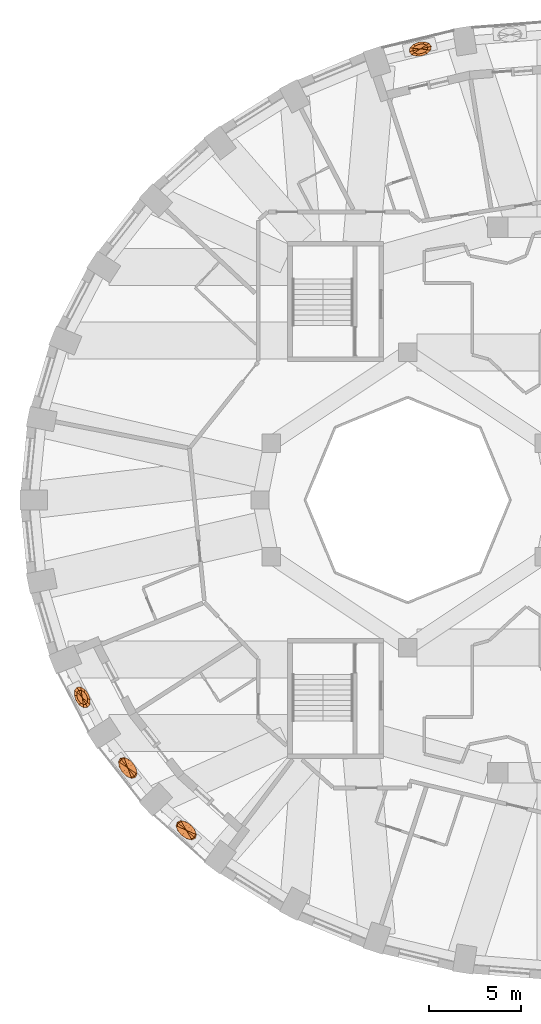
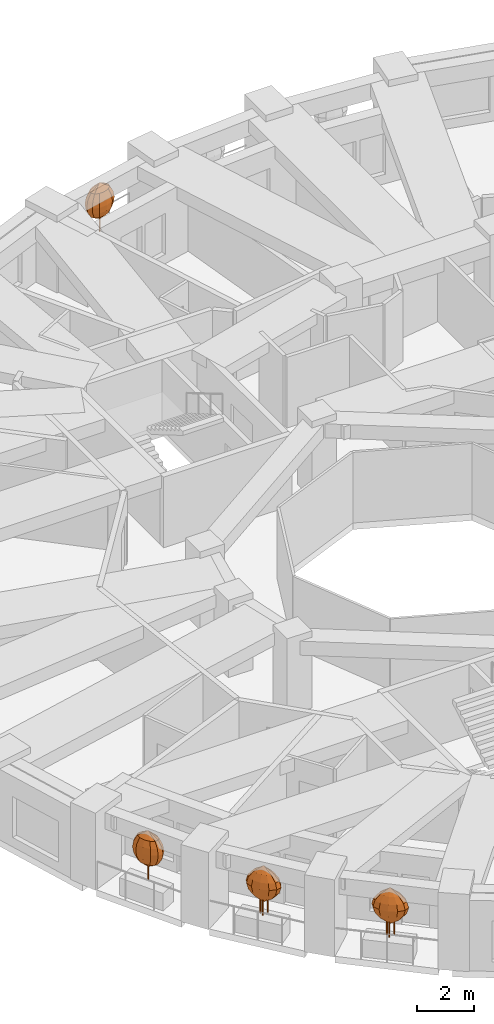
# One storey, part 12 of 13: 4 geographic elements.
"""IFC4 building model written with IfcOpenShell, lengths in metres."""

import ifcopenshell
import ifcopenshell.guid

model = None  # the IFC model being written
_history = None  # IfcOwnerHistory: only IFC2X3 demands one
_inside = {}  # id of a spatial element -> (the spatial element, [elements in it])
_under = {}  # id of a project, library or spatial element -> (it, [spatial elements below it])
_declared = {}  # id of a project -> (the project, [libraries it declares])
_typed = {}  # id of a type object -> (the type object, [elements of that type])
_made_of = {}  # id of a material, layer set ... -> (it, [elements and type objects made of it])


def new_model(schema):
    """Start an empty IFC model of exactly this schema.

    Asked for "IFC4X3", IfcOpenShell would pick the latest addendum, in which some entities
    have other attributes; the version numbers below select the first issue.
    IFC2X3 requires an IfcOwnerHistory on every rooted entity: one is made here for all.
    """
    global model, _history
    if schema == "IFC4X3":
        model = ifcopenshell.file(schema_version=(4, 3, 0, 0))
    else:
        model = ifcopenshell.file(schema=schema)
    _inside.clear()
    _under.clear()
    _declared.clear()
    _typed.clear()
    _made_of.clear()
    _history = None
    if model.schema == "IFC2X3":
        org = make("IfcOrganization", Name="unknown")
        user = make(
            "IfcPersonAndOrganization",
            ThePerson=make("IfcPerson", FamilyName="unknown"),
            TheOrganization=org,
        )
        app = make(
            "IfcApplication",
            ApplicationDeveloper=org,
            Version="unknown",
            ApplicationFullName="unknown",
            ApplicationIdentifier="unknown",
        )
        _history = make(
            "IfcOwnerHistory",
            OwningUser=user,
            OwningApplication=app,
            ChangeAction="ADDED",
            CreationDate=0,
        )
    return model


def make(cls, **values):
    """One entity of the class cls with the attributes given. An attribute that is None is left unset."""
    return model.create_entity(
        cls, **{name: value for name, value in values.items() if value is not None}
    )


def rooted(cls, **values):
    """An entity with a GlobalId (a new one), such as an element, a storey or a relation."""
    return make(cls, GlobalId=ifcopenshell.guid.new(), OwnerHistory=_history, **values)


def si_unit(unit_type, name, prefix=None):
    """IfcSIUnit, for example si_unit("LENGTHUNIT", "METRE", prefix="MILLI")."""
    return make("IfcSIUnit", UnitType=unit_type, Prefix=prefix, Name=name)


def assignment(units):
    """IfcUnitAssignment: the units of a project."""
    return None if units is None else make("IfcUnitAssignment", Units=units)


def point(xyz):
    """IfcCartesianPoint."""
    return None if xyz is None else make("IfcCartesianPoint", Coordinates=xyz)


def direction(xyz):
    """IfcDirection."""
    return None if xyz is None else make("IfcDirection", DirectionRatios=xyz)


def frame(location, z_axis=None, x_axis=None):
    """IfcAxis2Placement3D, a coordinate frame: its origin and axes. An axis left out is left unset."""
    return make(
        "IfcAxis2Placement3D",
        Location=point(location),
        Axis=direction(z_axis),
        RefDirection=direction(x_axis),
    )


def origin():
    """The frame at (0, 0, 0) with its axes left unset."""
    return frame((0.0, 0.0, 0.0))


def place(relative_to, where):
    """IfcLocalPlacement: puts the frame where relative to a parent placement (None: the world)."""
    return make(
        "IfcLocalPlacement", PlacementRelTo=relative_to, RelativePlacement=where
    )


def context(
    kind, dimensions, precision=None, world=None, true_north=None, identifier=None
):
    """IfcGeometricRepresentationContext, for example the 3D "Model" context."""
    return make(
        "IfcGeometricRepresentationContext",
        ContextIdentifier=identifier,
        ContextType=kind,
        CoordinateSpaceDimension=dimensions,
        Precision=precision,
        WorldCoordinateSystem=world,
        TrueNorth=true_north,
    )


def subcontext(parent, identifier, kind, view, scale=None):
    """IfcGeometricRepresentationSubContext, for example "Body" below "Model"."""
    return make(
        "IfcGeometricRepresentationSubContext",
        ContextIdentifier=identifier,
        ContextType=kind,
        ParentContext=parent,
        TargetScale=scale,
        TargetView=view,
    )


def project(units=None, contexts=None):
    """IfcProject with its units and contexts."""
    return rooted(
        "IfcProject",
        Name="project",
        RepresentationContexts=contexts,
        UnitsInContext=assignment(units),
    )


def spatial(cls, under=None, at=None, **own):
    """A site, building, storey or space (cls), placed at a placement, below another one or the project."""
    s = rooted(cls, ObjectPlacement=at, **own)
    if under is not None:
        _under.setdefault(under.id(), (under, []))[1].append(s)
    return s


def faces_of(points, faces, orient=None, outer=None):
    """IfcFace entities. A face is a list of loops; a loop is a list of indices into points, from 0.

    orient and outer hold one flag for each loop. By default every Orientation is true, the
    first loop of a face is its IfcFaceOuterBound and the others are IfcFaceBound.
    """
    made = []
    for i, loops in enumerate(faces):
        bounds = []
        for j, loop in enumerate(loops):
            is_outer = j == 0 if outer is None else outer[i][j]
            bounds.append(
                make(
                    "IfcFaceOuterBound" if is_outer else "IfcFaceBound",
                    Bound=make("IfcPolyLoop", Polygon=[points[k] for k in loop]),
                    Orientation=True if orient is None else orient[i][j],
                )
            )
        made.append(make("IfcFace", Bounds=bounds))
    return made


def faceted_brep(points, faces, orient=None, outer=None, voids=None):
    """IfcFacetedBrep: a solid bounded by flat faces; with voids (closed shells), ...WithVoids."""
    shared = [point(p) for p in points]
    hull = make("IfcClosedShell", CfsFaces=faces_of(shared, faces, orient, outer))
    if voids is None:
        return make("IfcFacetedBrep", Outer=hull)
    return make(
        "IfcFacetedBrepWithVoids",
        Outer=hull,
        Voids=[
            make(cls, CfsFaces=faces_of(shared, fs, o, b)) for cls, fs, o, b in voids
        ],
    )


def shape(context_of_items, identifier, shape_type, items):
    """IfcShapeRepresentation: the items that make up one representation, for example the "Body"."""
    return make(
        "IfcShapeRepresentation",
        ContextOfItems=context_of_items,
        RepresentationIdentifier=identifier,
        RepresentationType=shape_type,
        Items=items,
    )


def material(Name=None, Category=None):
    """IfcMaterial."""
    return make("IfcMaterial", Name=Name, Category=Category)


def constituent(of_material, Name=None, Category=None, fraction=None):
    """IfcMaterialConstituent: one of the materials an element consists of."""
    return make(
        "IfcMaterialConstituent",
        Name=Name,
        Material=of_material,
        Fraction=fraction,
        Category=Category,
    )


def constituent_set(constituents=None, Name=None):
    """IfcMaterialConstituentSet."""
    return make(
        "IfcMaterialConstituentSet", Name=Name, MaterialConstituents=constituents
    )


def made_of(thing, what):
    """Note that an element or type object is made of a material, layer set ...; save() writes the relation."""
    if what is not None:
        _made_of.setdefault(what.id(), (what, []))[1].append(thing)
    return thing


def type_object(cls, material=None, **own):
    """A type object (cls), such as IfcWallType, which elements share."""
    return made_of(rooted(cls, **own), material)


def element(
    cls,
    number,
    at=None,
    inside=None,
    cuts=None,
    type_object=None,
    material=None,
    context=None,
    identifier="Body",
    shape_type=None,
    held_by="IfcProductDefinitionShape",
    body=None,
    shapes=None,
    **own,
):
    """One element of the class cls, such as IfcWall. Its Tag is "e" and its number.

    at: its placement. inside: the storey or other place that contains it. cuts: it is an
    opening in that element (IfcRelVoidsElement). A single representation is given by context,
    identifier, shape_type and body (its items); several are given by shapes. held_by: the class
    of the entity that holds the representations. save() writes the other relations.
    """
    e = rooted(cls, Tag="e%d" % number, ObjectPlacement=at, **own)
    if body is not None:
        shapes = [shape(context, identifier, shape_type, body)]
    if shapes is not None:
        e.Representation = make(held_by, Representations=shapes)
    if inside is not None:
        _inside.setdefault(inside.id(), (inside, []))[1].append(e)
    if cuts is not None:
        rooted(
            "IfcRelVoidsElement", RelatingBuildingElement=cuts, RelatedOpeningElement=e
        )
    if type_object is not None:
        _typed.setdefault(type_object.id(), (type_object, []))[1].append(e)
    return made_of(e, material)


def aggregate(whole, parts):
    """IfcRelAggregates: a whole, such as a stair, and the parts it consists of."""
    return rooted("IfcRelAggregates", RelatingObject=whole, RelatedObjects=parts)


def save(model, path):
    """Write the relations noted so far, then the file.

    IfcRelAggregates (storeys below a building ...), IfcRelContainedInSpatialStructure (elements
    in a storey), IfcRelDefinesByType, IfcRelAssociatesMaterial and IfcRelDeclares: one each for
    every whole, place, type object, material and project.
    """
    for whole, parts in _under.values():
        aggregate(whole, parts)
    for where, things in _inside.values():
        rooted(
            "IfcRelContainedInSpatialStructure",
            RelatedElements=things,
            RelatingStructure=where,
        )
    for kind, things in _typed.values():
        rooted("IfcRelDefinesByType", RelatedObjects=things, RelatingType=kind)
    for what, things in _made_of.values():
        rooted("IfcRelAssociatesMaterial", RelatedObjects=things, RelatingMaterial=what)
    for by, libraries in _declared.values():
        rooted("IfcRelDeclares", RelatingContext=by, RelatedDefinitions=libraries)
    model.write(path)


model = new_model("IFC4")

# Units and contexts
model_context = context("Model", 3, precision=1e-05, world=origin(), true_north=direction((0.0, 1.0)))
body_context = subcontext(model_context, "Body", "Model", "MODEL_VIEW")
ifc_project = project(units=[si_unit("LENGTHUNIT", "METRE"), si_unit("AREAUNIT", "SQUARE_METRE"), si_unit("VOLUMEUNIT", "CUBIC_METRE"), si_unit("PLANEANGLEUNIT", "RADIAN"), si_unit("MASSUNIT", "GRAM", prefix="KILO")], contexts=[model_context])

# Site, building, storey
site_placement = place(None, origin())
site = spatial("IfcSite", under=ifc_project, at=site_placement, CompositionType="ELEMENT")
building_placement = place(site_placement, origin())
building = spatial("IfcBuilding", under=site, at=building_placement, Name="Taillehof Tower", CompositionType="ELEMENT")
storey_placement = place(building_placement, frame((0.0, 0.0, 51.39990234375)))
storey = spatial("IfcBuildingStorey", under=building, at=storey_placement, Name="L13", CompositionType="ELEMENT", Elevation=51.39990234375)

# Geographic elements
ifc_material_1 = material(Name="Tree bark", Category="timber")
ifc_constituent_1 = constituent(ifc_material_1, Name="Trunk", Category="timber")
ifc_material_2 = material(Name="Tree foliage")
ifc_constituent_2 = constituent(ifc_material_2, Name="Crown")
ifc_constituent_set_1 = constituent_set(constituents=[ifc_constituent_1, ifc_constituent_2], Name="Tree TR1 Columnar hornbeam")
geographic_element_type_1 = type_object("IfcGeographicElementType", Name="Tree TR1 Columnar hornbeam", PredefinedType="USERDEFINED", material=ifc_constituent_set_1)
geographic_element_1_placement = place(storey_placement, frame((-7.31640625, 24.430419921875, 0.75)))
element("IfcGeographicElement", 1, at=geographic_element_1_placement, inside=storey, type_object=geographic_element_type_1, Name="Tree TR1 Columnar hornbeam", ObjectType="TREE", PredefinedType="USERDEFINED", context=body_context, shape_type="Brep", body=[
    faceted_brep([(0.030029296875, 0.0, 0.0), (0.021240234375, 0.021240234375, 0.0), (0.021240234375, 0.021240234375, 1.092529296875), (0.030029296875, 0.0, 1.092529296875), (0.0, 0.030029296875, 0.0), (0.0, 0.030029296875, 1.092529296875), (-0.021240234375, 0.021240234375, 0.0), (-0.021240234375, 0.021240234375, 1.092529296875), (-0.030029296875, 0.0, 0.0), (-0.030029296875, 0.0, 1.092529296875), (-0.021240234375, -0.021240234375, 0.0), (-0.021240234375, -0.021240234375, 1.092529296875), (0.0, -0.030029296875, 0.0), (0.0, -0.030029296875, 1.092529296875), (0.021240234375, -0.021240234375, 0.0), (0.021240234375, -0.021240234375, 1.092529296875)], [[[0, 1, 2, 3]], [[1, 4, 5, 2]], [[4, 6, 7, 5]], [[6, 8, 9, 7]], [[8, 10, 11, 9]], [[10, 12, 13, 11]], [[12, 14, 15, 13]], [[14, 0, 3, 15]], [[14, 12, 10, 8, 6, 4, 1, 0]], [[3, 2, 5, 7, 9, 11, 13, 15]]]),
    faceted_brep([(0.0, 0.0, 0.550048828125), (-0.324951171875, -0.211181640625, 0.808349609375), (-0.41015625, -0.09814453125, 0.808349609375), (-0.15283203125, -0.267822265625, 0.808349609375), (0.060546875, -0.25244140625, 0.808349609375), (0.25732421875, -0.16943359375, 0.808349609375), (0.385498046875, -0.041015625, 0.808349609375), (0.41015625, 0.09814453125, 0.808349609375), (0.324951171875, 0.211181640625, 0.808349609375), (0.15283203125, 0.267822265625, 0.808349609375), (-0.060546875, 0.25244140625, 0.808349609375), (-0.25732421875, 0.16943359375, 0.808349609375), (-0.385498046875, 0.041015625, 0.808349609375), (-0.439697265625, -0.285888671875, 1.066650390625), (-0.554931640625, -0.1328125, 1.066650390625), (-0.20654296875, -0.362060546875, 1.066650390625), (0.081787109375, -0.341552734375, 1.066650390625), (0.34814453125, -0.229248046875, 1.066650390625), (0.521484375, -0.0556640625, 1.066650390625), (0.554931640625, 0.1328125, 1.066650390625), (0.439697265625, 0.285888671875, 1.066650390625), (0.20654296875, 0.362060546875, 1.066650390625), (-0.081787109375, 0.341552734375, 1.066650390625), (-0.34814453125, 0.229248046875, 1.066650390625), (-0.521484375, 0.0556640625, 1.066650390625), (-0.475830078125, -0.309326171875, 1.324951171875), (-0.6005859375, -0.143798828125, 1.324951171875), (-0.2236328125, -0.391845703125, 1.324951171875), (0.088623046875, -0.36962890625, 1.324951171875), (0.376953125, -0.248046875, 1.324951171875), (0.564208984375, -0.060302734375, 1.324951171875), (0.6005859375, 0.143798828125, 1.324951171875), (0.475830078125, 0.309326171875, 1.324951171875), (0.2236328125, 0.391845703125, 1.324951171875), (-0.088623046875, 0.36962890625, 1.324951171875), (-0.376953125, 0.248046875, 1.324951171875), (-0.564208984375, 0.060302734375, 1.324951171875), (-0.439697265625, -0.285888671875, 1.583251953125), (-0.554931640625, -0.1328125, 1.583251953125), (-0.20654296875, -0.362060546875, 1.583251953125), (0.081787109375, -0.341552734375, 1.583251953125), (0.34814453125, -0.229248046875, 1.583251953125), (0.521484375, -0.0556640625, 1.583251953125), (0.554931640625, 0.1328125, 1.583251953125), (0.439697265625, 0.285888671875, 1.583251953125), (0.20654296875, 0.362060546875, 1.583251953125), (-0.081787109375, 0.341552734375, 1.583251953125), (-0.34814453125, 0.229248046875, 1.583251953125), (-0.521484375, 0.0556640625, 1.583251953125), (-0.324951171875, -0.211181640625, 1.841552734375), (-0.41015625, -0.09814453125, 1.841552734375), (-0.15283203125, -0.267822265625, 1.841552734375), (0.060546875, -0.25244140625, 1.841552734375), (0.25732421875, -0.16943359375, 1.841552734375), (0.385498046875, -0.041015625, 1.841552734375), (0.41015625, 0.09814453125, 1.841552734375), (0.324951171875, 0.211181640625, 1.841552734375), (0.15283203125, 0.267822265625, 1.841552734375), (-0.060546875, 0.25244140625, 1.841552734375), (-0.25732421875, 0.16943359375, 1.841552734375), (-0.385498046875, 0.041015625, 1.841552734375), (0.0, 0.0, 2.10009765625)], [[[0, 1, 2]], [[0, 3, 1]], [[0, 4, 3]], [[0, 5, 4]], [[0, 6, 5]], [[0, 7, 6]], [[0, 8, 7]], [[0, 9, 8]], [[0, 10, 9]], [[0, 11, 10]], [[0, 12, 11]], [[0, 2, 12]], [[2, 1, 13, 14]], [[1, 3, 15, 13]], [[3, 4, 16, 15]], [[4, 5, 17, 16]], [[5, 6, 18, 17]], [[6, 7, 19, 18]], [[7, 8, 20, 19]], [[8, 9, 21, 20]], [[9, 10, 22, 21]], [[10, 11, 23, 22]], [[11, 12, 24, 23]], [[12, 2, 14, 24]], [[14, 13, 25, 26]], [[13, 15, 27, 25]], [[15, 16, 28, 27]], [[16, 17, 29, 28]], [[17, 18, 30, 29]], [[18, 19, 31, 30]], [[19, 20, 32, 31]], [[20, 21, 33, 32]], [[21, 22, 34, 33]], [[22, 23, 35, 34]], [[23, 24, 36, 35]], [[24, 14, 26, 36]], [[26, 25, 37, 38]], [[25, 27, 39, 37]], [[27, 28, 40, 39]], [[28, 29, 41, 40]], [[29, 30, 42, 41]], [[30, 31, 43, 42]], [[31, 32, 44, 43]], [[32, 33, 45, 44]], [[33, 34, 46, 45]], [[34, 35, 47, 46]], [[35, 36, 48, 47]], [[36, 26, 38, 48]], [[38, 37, 49, 50]], [[37, 39, 51, 49]], [[39, 40, 52, 51]], [[40, 41, 53, 52]], [[41, 42, 54, 53]], [[42, 43, 55, 54]], [[43, 44, 56, 55]], [[44, 45, 57, 56]], [[45, 46, 58, 57]], [[46, 47, 59, 58]], [[47, 48, 60, 59]], [[48, 38, 50, 60]], [[50, 49, 61]], [[49, 51, 61]], [[51, 52, 61]], [[52, 53, 61]], [[53, 54, 61]], [[54, 55, 61]], [[55, 56, 61]], [[56, 57, 61]], [[57, 58, 61]], [[58, 59, 61]], [[59, 60, 61]], [[60, 50, 61]]]),
])
geographic_element_2_placement = place(storey_placement, frame((-25.627685546875, -10.692626953125, 0.75)))
element("IfcGeographicElement", 2, at=geographic_element_2_placement, inside=storey, type_object=geographic_element_type_1, Name="Tree TR1 Columnar hornbeam", ObjectType="TREE", PredefinedType="USERDEFINED", context=body_context, shape_type="Brep", body=[
    faceted_brep([(0.030029296875, 0.0, 0.0), (0.021240234375, 0.021240234375, 0.0), (0.021240234375, 0.021240234375, 1.092529296875), (0.030029296875, 0.0, 1.092529296875), (0.0, 0.030029296875, 0.0), (0.0, 0.030029296875, 1.092529296875), (-0.021240234375, 0.021240234375, 0.0), (-0.021240234375, 0.021240234375, 1.092529296875), (-0.030029296875, 0.0, 0.0), (-0.030029296875, 0.0, 1.092529296875), (-0.021240234375, -0.021240234375, 0.0), (-0.021240234375, -0.021240234375, 1.092529296875), (0.0, -0.030029296875, 0.0), (0.0, -0.030029296875, 1.092529296875), (0.021240234375, -0.021240234375, 0.0), (0.021240234375, -0.021240234375, 1.092529296875)], [[[0, 1, 2, 3]], [[1, 4, 5, 2]], [[4, 6, 7, 5]], [[6, 8, 9, 7]], [[8, 10, 11, 9]], [[10, 12, 13, 11]], [[12, 14, 15, 13]], [[14, 0, 3, 15]], [[14, 12, 10, 8, 6, 4, 1, 0]], [[3, 2, 5, 7, 9, 11, 13, 15]]]),
    faceted_brep([(0.0, 0.0, 0.550048828125), (0.283935546875, -0.263916015625, 0.808349609375), (0.195068359375, -0.3740234375, 0.808349609375), (0.296875, -0.0830078125, 0.808349609375), (0.230224609375, 0.1201171875, 0.808349609375), (0.101806640625, 0.291015625, 0.808349609375), (-0.053955078125, 0.3837890625, 0.808349609375), (-0.195068359375, 0.3740234375, 0.808349609375), (-0.283935546875, 0.263916015625, 0.808349609375), (-0.296875, 0.0830078125, 0.808349609375), (-0.230224609375, -0.1201171875, 0.808349609375), (-0.101806640625, -0.291015625, 0.808349609375), (0.053955078125, -0.3837890625, 0.808349609375), (0.38427734375, -0.35693359375, 1.066650390625), (0.263916015625, -0.505859375, 1.066650390625), (0.401611328125, -0.1123046875, 1.066650390625), (0.311279296875, 0.162353515625, 1.066650390625), (0.1376953125, 0.3935546875, 1.066650390625), (-0.07275390625, 0.519287109375, 1.066650390625), (-0.263916015625, 0.505859375, 1.066650390625), (-0.38427734375, 0.35693359375, 1.066650390625), (-0.401611328125, 0.1123046875, 1.066650390625), (-0.311279296875, -0.162353515625, 1.066650390625), (-0.1376953125, -0.3935546875, 1.066650390625), (0.07275390625, -0.519287109375, 1.066650390625), (0.415771484375, -0.38623046875, 1.324951171875), (0.28564453125, -0.547607421875, 1.324951171875), (0.4345703125, -0.12158203125, 1.324951171875), (0.3369140625, 0.17578125, 1.324951171875), (0.14892578125, 0.426025390625, 1.324951171875), (-0.078857421875, 0.56201171875, 1.324951171875), (-0.28564453125, 0.547607421875, 1.324951171875), (-0.415771484375, 0.38623046875, 1.324951171875), (-0.4345703125, 0.12158203125, 1.324951171875), (-0.3369140625, -0.17578125, 1.324951171875), (-0.14892578125, -0.426025390625, 1.324951171875), (0.078857421875, -0.56201171875, 1.324951171875), (0.38427734375, -0.35693359375, 1.583251953125), (0.263916015625, -0.505859375, 1.583251953125), (0.401611328125, -0.1123046875, 1.583251953125), (0.311279296875, 0.162353515625, 1.583251953125), (0.1376953125, 0.3935546875, 1.583251953125), (-0.07275390625, 0.519287109375, 1.583251953125), (-0.263916015625, 0.505859375, 1.583251953125), (-0.38427734375, 0.35693359375, 1.583251953125), (-0.401611328125, 0.1123046875, 1.583251953125), (-0.311279296875, -0.162353515625, 1.583251953125), (-0.1376953125, -0.3935546875, 1.583251953125), (0.07275390625, -0.519287109375, 1.583251953125), (0.283935546875, -0.263916015625, 1.841552734375), (0.195068359375, -0.3740234375, 1.841552734375), (0.296875, -0.0830078125, 1.841552734375), (0.230224609375, 0.1201171875, 1.841552734375), (0.101806640625, 0.291015625, 1.841552734375), (-0.053955078125, 0.3837890625, 1.841552734375), (-0.195068359375, 0.3740234375, 1.841552734375), (-0.283935546875, 0.263916015625, 1.841552734375), (-0.296875, 0.0830078125, 1.841552734375), (-0.230224609375, -0.1201171875, 1.841552734375), (-0.101806640625, -0.291015625, 1.841552734375), (0.053955078125, -0.3837890625, 1.841552734375), (0.0, 0.0, 2.10009765625)], [[[0, 1, 2]], [[0, 3, 1]], [[0, 4, 3]], [[0, 5, 4]], [[0, 6, 5]], [[0, 7, 6]], [[0, 8, 7]], [[0, 9, 8]], [[0, 10, 9]], [[0, 11, 10]], [[0, 12, 11]], [[0, 2, 12]], [[2, 1, 13, 14]], [[1, 3, 15, 13]], [[3, 4, 16, 15]], [[4, 5, 17, 16]], [[5, 6, 18, 17]], [[6, 7, 19, 18]], [[7, 8, 20, 19]], [[8, 9, 21, 20]], [[9, 10, 22, 21]], [[10, 11, 23, 22]], [[11, 12, 24, 23]], [[12, 2, 14, 24]], [[14, 13, 25, 26]], [[13, 15, 27, 25]], [[15, 16, 28, 27]], [[16, 17, 29, 28]], [[17, 18, 30, 29]], [[18, 19, 31, 30]], [[19, 20, 32, 31]], [[20, 21, 33, 32]], [[21, 22, 34, 33]], [[22, 23, 35, 34]], [[23, 24, 36, 35]], [[24, 14, 26, 36]], [[26, 25, 37, 38]], [[25, 27, 39, 37]], [[27, 28, 40, 39]], [[28, 29, 41, 40]], [[29, 30, 42, 41]], [[30, 31, 43, 42]], [[31, 32, 44, 43]], [[32, 33, 45, 44]], [[33, 34, 46, 45]], [[34, 35, 47, 46]], [[35, 36, 48, 47]], [[36, 26, 38, 48]], [[38, 37, 49, 50]], [[37, 39, 51, 49]], [[39, 40, 52, 51]], [[40, 41, 53, 52]], [[41, 42, 54, 53]], [[42, 43, 55, 54]], [[43, 44, 56, 55]], [[44, 45, 57, 56]], [[45, 46, 58, 57]], [[46, 47, 59, 58]], [[47, 48, 60, 59]], [[48, 38, 50, 60]], [[50, 49, 61]], [[49, 51, 61]], [[51, 52, 61]], [[52, 53, 61]], [[53, 54, 61]], [[54, 55, 61]], [[55, 56, 61]], [[56, 57, 61]], [[57, 58, 61]], [[58, 59, 61]], [[59, 60, 61]], [[60, 50, 61]]]),
])
ifc_material_3 = material(Name="Tree bark", Category="timber")
ifc_constituent_3 = constituent(ifc_material_3, Name="Trunk", Category="timber")
ifc_material_4 = material(Name="Tree foliage")
ifc_constituent_4 = constituent(ifc_material_4, Name="Crown")
ifc_constituent_set_2 = constituent_set(constituents=[ifc_constituent_3, ifc_constituent_4], Name="Tree TR3 Multi-stem serviceberry")
geographic_element_type_2 = type_object("IfcGeographicElementType", Name="Tree TR3 Multi-stem serviceberry", PredefinedType="USERDEFINED", material=ifc_constituent_set_2)
geographic_element_3_placement = place(storey_placement, frame((-23.16162109375, -14.510986328125, 0.75)))
element("IfcGeographicElement", 3, at=geographic_element_3_placement, inside=storey, type_object=geographic_element_type_2, Name="Tree TR3 Multi-stem serviceberry", ObjectType="TREE", PredefinedType="USERDEFINED", context=body_context, shape_type="Brep", body=[
    faceted_brep([(0.195068359375, 0.0, 0.0), (0.186767578125, 0.0205078125, 0.0), (0.186767578125, 0.0205078125, 1.04248046875), (0.195068359375, 0.0, 1.04248046875), (0.166259765625, 0.02880859375, 0.0), (0.166259765625, 0.02880859375, 1.04248046875), (0.145751953125, 0.0205078125, 0.0), (0.145751953125, 0.0205078125, 1.04248046875), (0.137451171875, 0.0, 0.0), (0.137451171875, 0.0, 1.04248046875), (0.145751953125, -0.0205078125, 0.0), (0.145751953125, -0.0205078125, 1.04248046875), (0.166259765625, -0.02880859375, 0.0), (0.166259765625, -0.02880859375, 1.04248046875), (0.186767578125, -0.0205078125, 0.0), (0.186767578125, -0.0205078125, 1.04248046875)], [[[0, 1, 2, 3]], [[1, 4, 5, 2]], [[4, 6, 7, 5]], [[6, 8, 9, 7]], [[8, 10, 11, 9]], [[10, 12, 13, 11]], [[12, 14, 15, 13]], [[14, 0, 3, 15]], [[14, 12, 10, 8, 6, 4, 1, 0]], [[3, 2, 5, 7, 9, 11, 13, 15]]]),
    faceted_brep([(-0.05419921875, 0.082275390625, 0.0), (-0.062744140625, 0.102783203125, 0.0), (-0.062744140625, 0.102783203125, 1.04248046875), (-0.05419921875, 0.082275390625, 1.04248046875), (-0.0830078125, 0.111083984375, 0.0), (-0.0830078125, 0.111083984375, 1.04248046875), (-0.103515625, 0.102783203125, 0.0), (-0.103515625, 0.102783203125, 1.04248046875), (-0.112060546875, 0.082275390625, 0.0), (-0.112060546875, 0.082275390625, 1.04248046875), (-0.103515625, 0.061767578125, 0.0), (-0.103515625, 0.061767578125, 1.04248046875), (-0.0830078125, 0.053466796875, 0.0), (-0.0830078125, 0.053466796875, 1.04248046875), (-0.062744140625, 0.061767578125, 0.0), (-0.062744140625, 0.061767578125, 1.04248046875)], [[[0, 1, 2, 3]], [[1, 4, 5, 2]], [[4, 6, 7, 5]], [[6, 8, 9, 7]], [[8, 10, 11, 9]], [[10, 12, 13, 11]], [[12, 14, 15, 13]], [[14, 0, 3, 15]], [[14, 12, 10, 8, 6, 4, 1, 0]], [[3, 2, 5, 7, 9, 11, 13, 15]]]),
    faceted_brep([(-0.05419921875, -0.082275390625, 0.0), (-0.062744140625, -0.061767578125, 0.0), (-0.062744140625, -0.061767578125, 1.04248046875), (-0.05419921875, -0.082275390625, 1.04248046875), (-0.0830078125, -0.053466796875, 0.0), (-0.0830078125, -0.053466796875, 1.04248046875), (-0.103515625, -0.061767578125, 0.0), (-0.103515625, -0.061767578125, 1.04248046875), (-0.112060546875, -0.082275390625, 0.0), (-0.112060546875, -0.082275390625, 1.04248046875), (-0.103515625, -0.102783203125, 0.0), (-0.103515625, -0.102783203125, 1.04248046875), (-0.0830078125, -0.111083984375, 0.0), (-0.0830078125, -0.111083984375, 1.04248046875), (-0.062744140625, -0.102783203125, 0.0), (-0.062744140625, -0.102783203125, 1.04248046875)], [[[0, 1, 2, 3]], [[1, 4, 5, 2]], [[4, 6, 7, 5]], [[6, 8, 9, 7]], [[8, 10, 11, 9]], [[10, 12, 13, 11]], [[12, 14, 15, 13]], [[14, 0, 3, 15]], [[14, 12, 10, 8, 6, 4, 1, 0]], [[3, 2, 5, 7, 9, 11, 13, 15]]]),
    faceted_brep([(0.0, 0.0, 0.5), (0.289794921875, -0.193115234375, 0.75830078125), (0.235595703125, -0.30078125, 0.75830078125), (0.2666015625, -0.03369140625, 0.75830078125), (0.171875, 0.134521484375, 0.75830078125), (0.031005859375, 0.266845703125, 0.75830078125), (-0.1181640625, 0.32763671875, 0.75830078125), (-0.235595703125, 0.30078125, 0.75830078125), (-0.289794921875, 0.193115234375, 0.75830078125), (-0.2666015625, 0.03369140625, 0.75830078125), (-0.171875, -0.134521484375, 0.75830078125), (-0.031005859375, -0.266845703125, 0.75830078125), (0.1181640625, -0.32763671875, 0.75830078125), (0.449951171875, -0.299560546875, 1.0166015625), (0.365478515625, -0.466552734375, 1.0166015625), (0.41357421875, -0.052490234375, 1.0166015625), (0.2666015625, 0.208740234375, 1.0166015625), (0.048095703125, 0.4140625, 1.0166015625), (-0.18310546875, 0.508544921875, 1.0166015625), (-0.365478515625, 0.466552734375, 1.0166015625), (-0.449951171875, 0.299560546875, 1.0166015625), (-0.41357421875, 0.052490234375, 1.0166015625), (-0.2666015625, -0.208740234375, 1.0166015625), (-0.048095703125, -0.4140625, 1.0166015625), (0.18310546875, -0.508544921875, 1.0166015625), (0.504638671875, -0.336181640625, 1.27490234375), (0.41015625, -0.5234375, 1.27490234375), (0.464111328125, -0.058837890625, 1.27490234375), (0.299072265625, 0.234375, 1.27490234375), (0.053955078125, 0.464599609375, 1.27490234375), (-0.20556640625, 0.570556640625, 1.27490234375), (-0.41015625, 0.5234375, 1.27490234375), (-0.504638671875, 0.336181640625, 1.27490234375), (-0.464111328125, 0.058837890625, 1.27490234375), (-0.299072265625, -0.234375, 1.27490234375), (-0.053955078125, -0.464599609375, 1.27490234375), (0.20556640625, -0.570556640625, 1.27490234375), (0.449951171875, -0.299560546875, 1.533447265625), (0.365478515625, -0.466552734375, 1.533447265625), (0.41357421875, -0.052490234375, 1.533447265625), (0.2666015625, 0.208740234375, 1.533447265625), (0.048095703125, 0.4140625, 1.533447265625), (-0.18310546875, 0.508544921875, 1.533447265625), (-0.365478515625, 0.466552734375, 1.533447265625), (-0.449951171875, 0.299560546875, 1.533447265625), (-0.41357421875, 0.052490234375, 1.533447265625), (-0.2666015625, -0.208740234375, 1.533447265625), (-0.048095703125, -0.4140625, 1.533447265625), (0.18310546875, -0.508544921875, 1.533447265625), (0.289794921875, -0.193115234375, 1.791748046875), (0.235595703125, -0.30078125, 1.791748046875), (0.2666015625, -0.03369140625, 1.791748046875), (0.171875, 0.134521484375, 1.791748046875), (0.031005859375, 0.266845703125, 1.791748046875), (-0.1181640625, 0.32763671875, 1.791748046875), (-0.235595703125, 0.30078125, 1.791748046875), (-0.289794921875, 0.193115234375, 1.791748046875), (-0.2666015625, 0.03369140625, 1.791748046875), (-0.171875, -0.134521484375, 1.791748046875), (-0.031005859375, -0.266845703125, 1.791748046875), (0.1181640625, -0.32763671875, 1.791748046875), (0.0, 0.0, 2.050048828125)], [[[0, 1, 2]], [[0, 3, 1]], [[0, 4, 3]], [[0, 5, 4]], [[0, 6, 5]], [[0, 7, 6]], [[0, 8, 7]], [[0, 9, 8]], [[0, 10, 9]], [[0, 11, 10]], [[0, 12, 11]], [[0, 2, 12]], [[2, 1, 13, 14]], [[1, 3, 15, 13]], [[3, 4, 16, 15]], [[4, 5, 17, 16]], [[5, 6, 18, 17]], [[6, 7, 19, 18]], [[7, 8, 20, 19]], [[8, 9, 21, 20]], [[9, 10, 22, 21]], [[10, 11, 23, 22]], [[11, 12, 24, 23]], [[12, 2, 14, 24]], [[14, 13, 25, 26]], [[13, 15, 27, 25]], [[15, 16, 28, 27]], [[16, 17, 29, 28]], [[17, 18, 30, 29]], [[18, 19, 31, 30]], [[19, 20, 32, 31]], [[20, 21, 33, 32]], [[21, 22, 34, 33]], [[22, 23, 35, 34]], [[23, 24, 36, 35]], [[24, 14, 26, 36]], [[26, 25, 37, 38]], [[25, 27, 39, 37]], [[27, 28, 40, 39]], [[28, 29, 41, 40]], [[29, 30, 42, 41]], [[30, 31, 43, 42]], [[31, 32, 44, 43]], [[32, 33, 45, 44]], [[33, 34, 46, 45]], [[34, 35, 47, 46]], [[35, 36, 48, 47]], [[36, 26, 38, 48]], [[38, 37, 49, 50]], [[37, 39, 51, 49]], [[39, 40, 52, 51]], [[40, 41, 53, 52]], [[41, 42, 54, 53]], [[42, 43, 55, 54]], [[43, 44, 56, 55]], [[44, 45, 57, 56]], [[45, 46, 58, 57]], [[46, 47, 59, 58]], [[47, 48, 60, 59]], [[48, 38, 50, 60]], [[50, 49, 61]], [[49, 51, 61]], [[51, 52, 61]], [[52, 53, 61]], [[53, 54, 61]], [[54, 55, 61]], [[55, 56, 61]], [[56, 57, 61]], [[57, 58, 61]], [[58, 59, 61]], [[59, 60, 61]], [[60, 50, 61]]]),
])
geographic_element_4_placement = place(storey_placement, frame((-19.9921875, -17.8876953125, 0.75)))
element("IfcGeographicElement", 4, at=geographic_element_4_placement, inside=storey, type_object=geographic_element_type_2, Name="Tree TR3 Multi-stem serviceberry", ObjectType="TREE", PredefinedType="USERDEFINED", context=body_context, shape_type="Brep", body=[
    faceted_brep([(0.195068359375, 0.0, 0.0), (0.186767578125, 0.0205078125, 0.0), (0.186767578125, 0.0205078125, 1.04248046875), (0.195068359375, 0.0, 1.04248046875), (0.166259765625, 0.02880859375, 0.0), (0.166259765625, 0.02880859375, 1.04248046875), (0.145751953125, 0.0205078125, 0.0), (0.145751953125, 0.0205078125, 1.04248046875), (0.137451171875, 0.0, 0.0), (0.137451171875, 0.0, 1.04248046875), (0.145751953125, -0.0205078125, 0.0), (0.145751953125, -0.0205078125, 1.04248046875), (0.166259765625, -0.02880859375, 0.0), (0.166259765625, -0.02880859375, 1.04248046875), (0.186767578125, -0.0205078125, 0.0), (0.186767578125, -0.0205078125, 1.04248046875)], [[[0, 1, 2, 3]], [[1, 4, 5, 2]], [[4, 6, 7, 5]], [[6, 8, 9, 7]], [[8, 10, 11, 9]], [[10, 12, 13, 11]], [[12, 14, 15, 13]], [[14, 0, 3, 15]], [[14, 12, 10, 8, 6, 4, 1, 0]], [[3, 2, 5, 7, 9, 11, 13, 15]]]),
    faceted_brep([(-0.05419921875, 0.082275390625, 0.0), (-0.062744140625, 0.102783203125, 0.0), (-0.062744140625, 0.102783203125, 1.04248046875), (-0.05419921875, 0.082275390625, 1.04248046875), (-0.0830078125, 0.111083984375, 0.0), (-0.0830078125, 0.111083984375, 1.04248046875), (-0.103515625, 0.102783203125, 0.0), (-0.103515625, 0.102783203125, 1.04248046875), (-0.112060546875, 0.082275390625, 0.0), (-0.112060546875, 0.082275390625, 1.04248046875), (-0.103515625, 0.061767578125, 0.0), (-0.103515625, 0.061767578125, 1.04248046875), (-0.0830078125, 0.053466796875, 0.0), (-0.0830078125, 0.053466796875, 1.04248046875), (-0.062744140625, 0.061767578125, 0.0), (-0.062744140625, 0.061767578125, 1.04248046875)], [[[0, 1, 2, 3]], [[1, 4, 5, 2]], [[4, 6, 7, 5]], [[6, 8, 9, 7]], [[8, 10, 11, 9]], [[10, 12, 13, 11]], [[12, 14, 15, 13]], [[14, 0, 3, 15]], [[14, 12, 10, 8, 6, 4, 1, 0]], [[3, 2, 5, 7, 9, 11, 13, 15]]]),
    faceted_brep([(-0.05419921875, -0.082275390625, 0.0), (-0.062744140625, -0.061767578125, 0.0), (-0.062744140625, -0.061767578125, 1.04248046875), (-0.05419921875, -0.082275390625, 1.04248046875), (-0.0830078125, -0.053466796875, 0.0), (-0.0830078125, -0.053466796875, 1.04248046875), (-0.103515625, -0.061767578125, 0.0), (-0.103515625, -0.061767578125, 1.04248046875), (-0.112060546875, -0.082275390625, 0.0), (-0.112060546875, -0.082275390625, 1.04248046875), (-0.103515625, -0.102783203125, 0.0), (-0.103515625, -0.102783203125, 1.04248046875), (-0.0830078125, -0.111083984375, 0.0), (-0.0830078125, -0.111083984375, 1.04248046875), (-0.062744140625, -0.102783203125, 0.0), (-0.062744140625, -0.102783203125, 1.04248046875)], [[[0, 1, 2, 3]], [[1, 4, 5, 2]], [[4, 6, 7, 5]], [[6, 8, 9, 7]], [[8, 10, 11, 9]], [[10, 12, 13, 11]], [[12, 14, 15, 13]], [[14, 0, 3, 15]], [[14, 12, 10, 8, 6, 4, 1, 0]], [[3, 2, 5, 7, 9, 11, 13, 15]]]),
    faceted_brep([(0.0, 0.0, 0.5), (0.3193359375, -0.13916015625, 0.75830078125), (0.28466796875, -0.254638671875, 0.75830078125), (0.268310546875, 0.013671875, 0.75830078125), (0.1455078125, 0.16259765625, 0.75830078125), (-0.016357421875, 0.268310546875, 0.75830078125), (-0.173828125, 0.3017578125, 0.75830078125), (-0.28466796875, 0.254638671875, 0.75830078125), (-0.3193359375, 0.13916015625, 0.75830078125), (-0.268310546875, -0.013671875, 0.75830078125), (-0.1455078125, -0.16259765625, 0.75830078125), (0.016357421875, -0.268310546875, 0.75830078125), (0.173828125, -0.3017578125, 0.75830078125), (0.49560546875, -0.2158203125, 1.0166015625), (0.44189453125, -0.39501953125, 1.0166015625), (0.41650390625, 0.021240234375, 1.0166015625), (0.225830078125, 0.25244140625, 1.0166015625), (-0.025390625, 0.416259765625, 1.0166015625), (-0.269775390625, 0.46826171875, 1.0166015625), (-0.44189453125, 0.39501953125, 1.0166015625), (-0.49560546875, 0.2158203125, 1.0166015625), (-0.41650390625, -0.021240234375, 1.0166015625), (-0.225830078125, -0.25244140625, 1.0166015625), (0.025390625, -0.416259765625, 1.0166015625), (0.269775390625, -0.46826171875, 1.0166015625), (0.555908203125, -0.2421875, 1.27490234375), (0.495849609375, -0.443115234375, 1.27490234375), (0.46728515625, 0.023681640625, 1.27490234375), (0.253173828125, 0.283203125, 1.27490234375), (-0.028564453125, 0.467041015625, 1.27490234375), (-0.302734375, 0.525390625, 1.27490234375), (-0.495849609375, 0.443115234375, 1.27490234375), (-0.555908203125, 0.2421875, 1.27490234375), (-0.46728515625, -0.023681640625, 1.27490234375), (-0.253173828125, -0.283203125, 1.27490234375), (0.028564453125, -0.467041015625, 1.27490234375), (0.302734375, -0.525390625, 1.27490234375), (0.49560546875, -0.2158203125, 1.533447265625), (0.44189453125, -0.39501953125, 1.533447265625), (0.41650390625, 0.021240234375, 1.533447265625), (0.225830078125, 0.25244140625, 1.533447265625), (-0.025390625, 0.416259765625, 1.533447265625), (-0.269775390625, 0.46826171875, 1.533447265625), (-0.44189453125, 0.39501953125, 1.533447265625), (-0.49560546875, 0.2158203125, 1.533447265625), (-0.41650390625, -0.021240234375, 1.533447265625), (-0.225830078125, -0.25244140625, 1.533447265625), (0.025390625, -0.416259765625, 1.533447265625), (0.269775390625, -0.46826171875, 1.533447265625), (0.3193359375, -0.13916015625, 1.791748046875), (0.28466796875, -0.254638671875, 1.791748046875), (0.268310546875, 0.013671875, 1.791748046875), (0.1455078125, 0.16259765625, 1.791748046875), (-0.016357421875, 0.268310546875, 1.791748046875), (-0.173828125, 0.3017578125, 1.791748046875), (-0.28466796875, 0.254638671875, 1.791748046875), (-0.3193359375, 0.13916015625, 1.791748046875), (-0.268310546875, -0.013671875, 1.791748046875), (-0.1455078125, -0.16259765625, 1.791748046875), (0.016357421875, -0.268310546875, 1.791748046875), (0.173828125, -0.3017578125, 1.791748046875), (0.0, 0.0, 2.050048828125)], [[[0, 1, 2]], [[0, 3, 1]], [[0, 4, 3]], [[0, 5, 4]], [[0, 6, 5]], [[0, 7, 6]], [[0, 8, 7]], [[0, 9, 8]], [[0, 10, 9]], [[0, 11, 10]], [[0, 12, 11]], [[0, 2, 12]], [[2, 1, 13, 14]], [[1, 3, 15, 13]], [[3, 4, 16, 15]], [[4, 5, 17, 16]], [[5, 6, 18, 17]], [[6, 7, 19, 18]], [[7, 8, 20, 19]], [[8, 9, 21, 20]], [[9, 10, 22, 21]], [[10, 11, 23, 22]], [[11, 12, 24, 23]], [[12, 2, 14, 24]], [[14, 13, 25, 26]], [[13, 15, 27, 25]], [[15, 16, 28, 27]], [[16, 17, 29, 28]], [[17, 18, 30, 29]], [[18, 19, 31, 30]], [[19, 20, 32, 31]], [[20, 21, 33, 32]], [[21, 22, 34, 33]], [[22, 23, 35, 34]], [[23, 24, 36, 35]], [[24, 14, 26, 36]], [[26, 25, 37, 38]], [[25, 27, 39, 37]], [[27, 28, 40, 39]], [[28, 29, 41, 40]], [[29, 30, 42, 41]], [[30, 31, 43, 42]], [[31, 32, 44, 43]], [[32, 33, 45, 44]], [[33, 34, 46, 45]], [[34, 35, 47, 46]], [[35, 36, 48, 47]], [[36, 26, 38, 48]], [[38, 37, 49, 50]], [[37, 39, 51, 49]], [[39, 40, 52, 51]], [[40, 41, 53, 52]], [[41, 42, 54, 53]], [[42, 43, 55, 54]], [[43, 44, 56, 55]], [[44, 45, 57, 56]], [[45, 46, 58, 57]], [[46, 47, 59, 58]], [[47, 48, 60, 59]], [[48, 38, 50, 60]], [[50, 49, 61]], [[49, 51, 61]], [[51, 52, 61]], [[52, 53, 61]], [[53, 54, 61]], [[54, 55, 61]], [[55, 56, 61]], [[56, 57, 61]], [[57, 58, 61]], [[58, 59, 61]], [[59, 60, 61]], [[60, 50, 61]]]),
])

save(model, "model.ifc")
